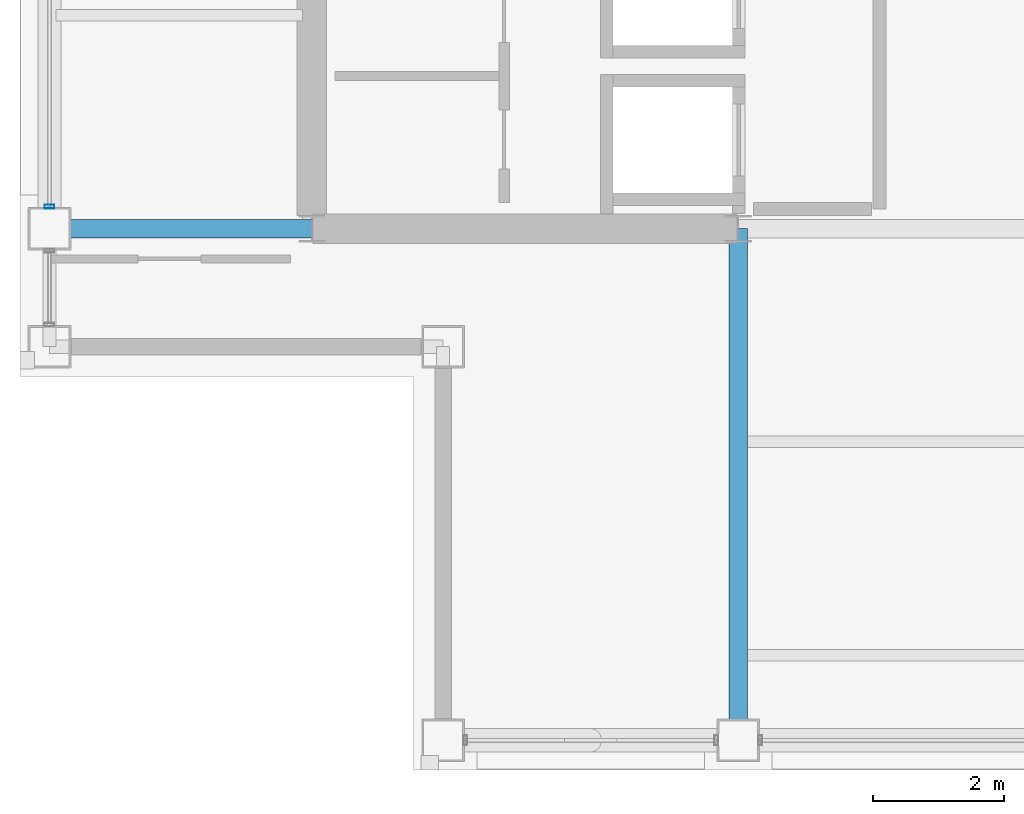
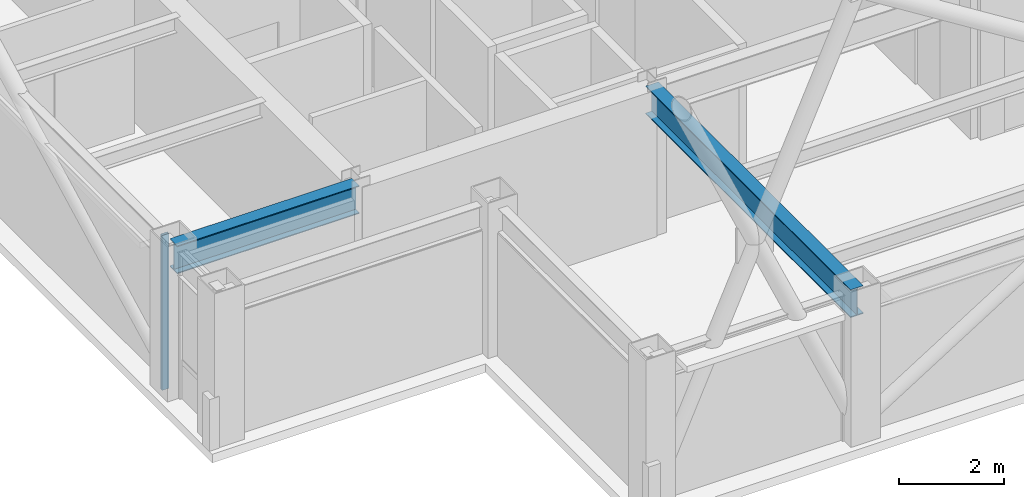
# One storey, part 6 of 28: 2 beams, 1 member, 1 element without a shape of its own.
"""IFC4 building model written with IfcOpenShell, lengths in metres."""

from ifc_helpers import new_model, si_unit, direction, frame, origin, origin_2d, place, context, subcontext, project, spatial, hollow_rectangle, i_section, extrude, material, layer, layer_set, material_profile, profile_set, type_object, element, aggregate, save


model = new_model("IFC4")

# Units and contexts
model_context = context("Model", 3, precision=1e-05, world=origin(), true_north=direction((0.0, 1.0)))
body_context = subcontext(model_context, "Body", "Model", "MODEL_VIEW")
ifc_project = project(units=[si_unit("LENGTHUNIT", "METRE"), si_unit("AREAUNIT", "SQUARE_METRE"), si_unit("VOLUMEUNIT", "CUBIC_METRE"), si_unit("PLANEANGLEUNIT", "RADIAN"), si_unit("MASSUNIT", "GRAM", prefix="KILO")], contexts=[model_context])

# Site, building, storey
site_placement = place(None, origin())
site = spatial("IfcSite", under=ifc_project, at=site_placement, CompositionType="ELEMENT")
building_placement = place(site_placement, origin())
building = spatial("IfcBuilding", under=site, at=building_placement, Name="Brelmoor Portico Tower", CompositionType="ELEMENT")
storey_placement = place(building_placement, frame((0.0, 0.0, 225.60009765625)))
storey = spatial("IfcBuildingStorey", under=building, at=storey_placement, Name="L59", CompositionType="ELEMENT", Elevation=225.60009765625)

# Beams
ifc_material_1 = material(Name="Steel Q355B", Category="steel")
ifc_material_profile_1 = material_profile(ifc_material_1, i_section(OverallWidth=0.280029296875, OverallDepth=0.64990234375, WebThickness=0.012939453125, FlangeThickness=0.02197265625, at=origin_2d()), Name="HN 650x280x13x22")
ifc_profile_set_1 = profile_set([ifc_material_profile_1], Name="Steel Q355B")
beam_type = type_object("IfcBeamType", Name="BM-PG-650", PredefinedType="BEAM", material=ifc_profile_set_1)
beam_1_placement = place(storey_placement, frame((-8.050048828125, -17.550048828125, 3.074951171875), z_axis=(0.0, 1.0, 0.0), x_axis=(-1.0, 0.0, 0.0)))
element("IfcBeam", 1, at=beam_1_placement, inside=storey, type_object=beam_type, Name="L59 Primary Floor Girder PG-03", PredefinedType="BEAM", context=body_context, shape_type="SweptSolid", body=[
    extrude(i_section(OverallWidth=0.280029296875, OverallDepth=0.64990234375, WebThickness=0.012939453125, FlangeThickness=0.02197265625, at=origin_2d()), origin(), (0.0, 0.0, 1.0), 7.800048828125),
])
beam_2_placement = place(storey_placement, frame((-18.550048828125, -9.75, 3.074951171875), z_axis=(1.0, 0.0, 0.0), x_axis=(0.0, 1.0, 0.0)))
element("IfcBeam", 2, at=beam_2_placement, inside=storey, type_object=beam_type, Name="L59 Primary Floor Girder PG-11", PredefinedType="BEAM", context=body_context, shape_type="SweptSolid", body=[
    extrude(i_section(OverallWidth=0.280029296875, OverallDepth=0.64990234375, WebThickness=0.012939453125, FlangeThickness=0.02197265625, at=origin_2d()), origin(), (0.0, 0.0, 1.0), 4.0),
])

# Curtain wall, member
ifc_material_2 = material(Name="Anodised Aluminium Alloy 6063-T6", Category="aluminium")
ifc_layer = layer(ifc_material_2, 0.179931640625)
ifc_layer_set = layer_set([ifc_layer], Name="Anodised Aluminium Alloy 6063-T6")
curtain_wall_type = type_object("IfcCurtainWallType", Name="CW-TOWER-Z4-XB", PredefinedType="NOTDEFINED", material=ifc_layer_set)
curtain_wall_placement = place(storey_placement, origin())
curtain_wall = element("IfcCurtainWall", 3, at=curtain_wall_placement, inside=storey, type_object=curtain_wall_type, Name="L59 Curtain Wall CW-L59-03-2", PredefinedType="NOTDEFINED")
ifc_material_profile_2 = material_profile(ifc_material_2, hollow_rectangle(XDim=0.06005859375, YDim=0.14990234375, WallThickness=0.00390625, at=origin_2d()), Name="ALU MULLION 60x150")
ifc_profile_set_2 = profile_set([ifc_material_profile_2], Name="Anodised Aluminium Alloy 6063-T6")
member_type = type_object("IfcMemberType", Name="MB-CW-MULL-150", PredefinedType="MULLION", material=ifc_profile_set_2)
member_placement = place(storey_placement, frame((-18.550048828125, -9.4150390625, -0.2001953125), z_axis=(0.0, 0.0, 1.0), x_axis=(0.0, 1.0, 0.0)))
member = element("IfcMember", 4, at=member_placement, type_object=member_type, Name="CW-L59-03-2 Mullion 00", PredefinedType="MULLION", context=body_context, shape_type="SweptSolid", body=[
    extrude(hollow_rectangle(XDim=0.06005859375, YDim=0.14990234375, WallThickness=0.00390625, at=origin_2d()), origin(), (0.0, 0.0, 1.0), 3.60009765625),
])
aggregate(curtain_wall, [member])

save(model, "model.ifc")
